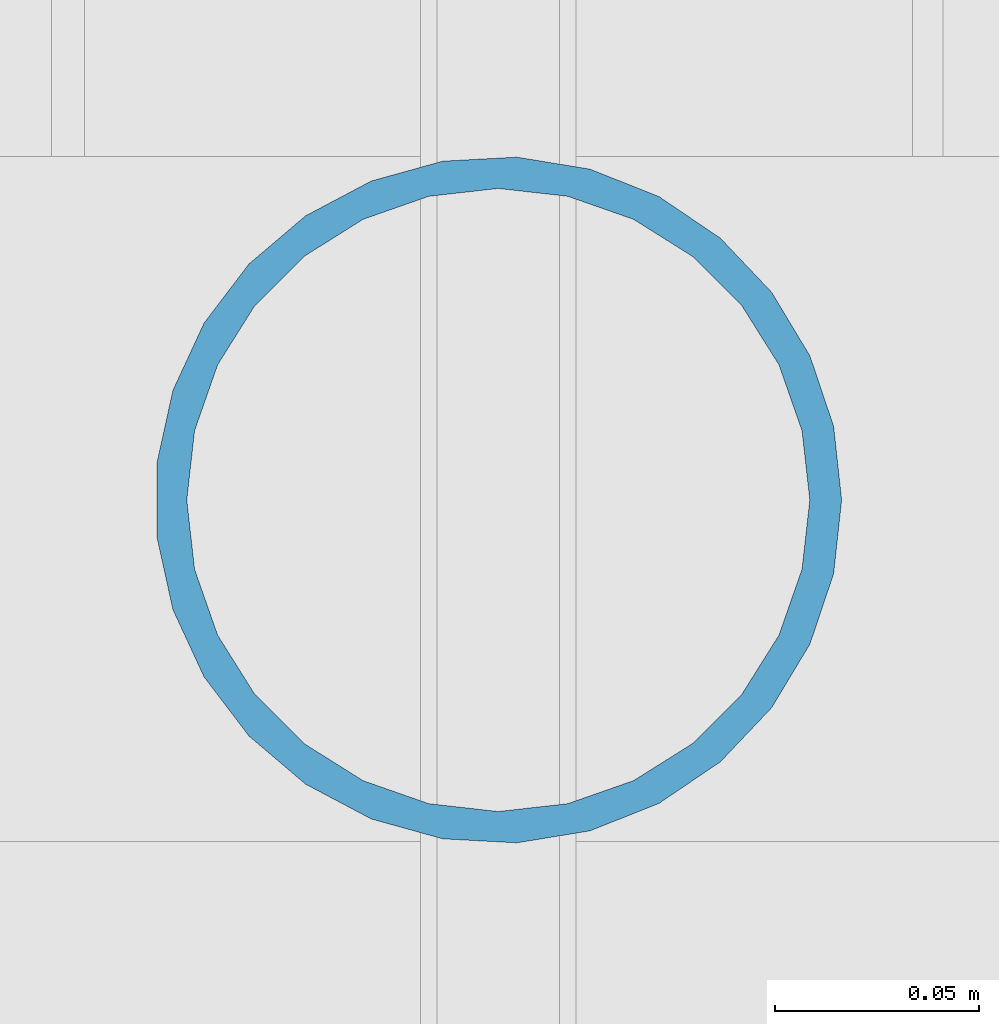
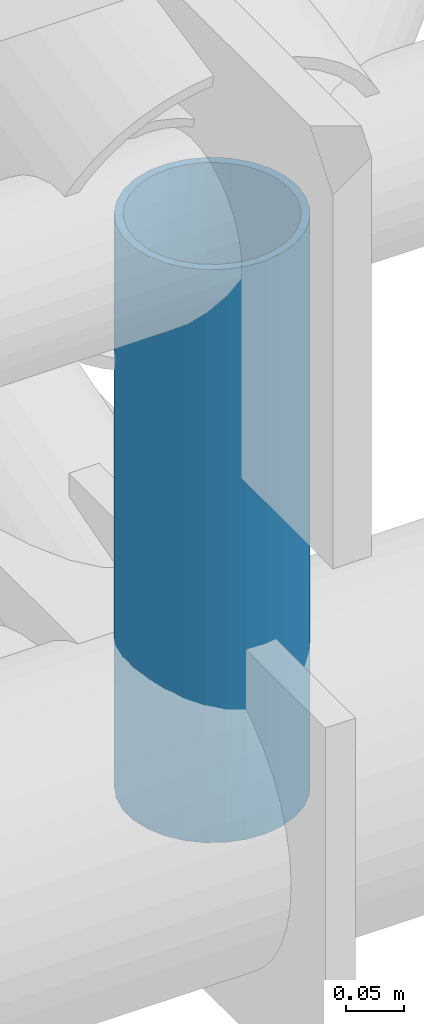
# One storey, part 48 of 72: 1 member.
"""IFC4 building model written with IfcOpenShell, lengths in metres."""

from ifc_helpers import new_model, si_unit, direction, frame, origin, origin_2d, place, context, subcontext, project, spatial, hollow_circle, extrude, material, material_profile, profile_set, type_object, element, save


model = new_model("IFC4")

# Units and contexts
model_context = context("Model", 3, precision=1e-05, world=origin(), true_north=direction((0.0, 1.0)))
body_context = subcontext(model_context, "Body", "Model", "MODEL_VIEW")
ifc_project = project(units=[si_unit("LENGTHUNIT", "METRE"), si_unit("AREAUNIT", "SQUARE_METRE"), si_unit("VOLUMEUNIT", "CUBIC_METRE"), si_unit("PLANEANGLEUNIT", "RADIAN"), si_unit("MASSUNIT", "GRAM", prefix="KILO")], contexts=[model_context])

# Site, building, storey
site_placement = place(None, origin())
site = spatial("IfcSite", under=ifc_project, at=site_placement, CompositionType="ELEMENT")
building_placement = place(site_placement, origin())
building = spatial("IfcBuilding", under=site, at=building_placement, Name="Vaelcorin Mobility Hub", CompositionType="ELEMENT")
storey_placement = place(building_placement, frame((0.0, 0.0, 25.800048828125)))
storey = spatial("IfcBuildingStorey", under=building, at=storey_placement, Name="RF", CompositionType="ELEMENT", Elevation=25.800048828125)

# Member
ifc_material = material(Name="Steel ASTM A500 Grade C", Category="steel")
ifc_material_profile = material_profile(ifc_material, hollow_circle(Radius=0.084228515625, WallThickness=0.0078125, at=origin_2d()), Name="HSS6.625X0.312")
ifc_profile_set = profile_set([ifc_material_profile], Name="Steel ASTM A500 Grade C")
member_type = type_object("IfcMemberType", Name="TR-POST-6", PredefinedType="POST", material=ifc_profile_set)
member_placement = place(storey_placement, frame((100.800048828125, 84.0, -2.10009765625), z_axis=(0.0, 0.0, 1.0), x_axis=(1.0, 0.0, 0.0)))
element("IfcMember", 1, at=member_placement, inside=storey, type_object=member_type, Name="Sports Pavilion Roof Truss Post 9-0", PredefinedType="POST", context=body_context, shape_type="SweptSolid", body=[
    extrude(hollow_circle(Radius=0.084228515625, WallThickness=0.0078125, at=origin_2d()), origin(), (0.0, 0.0, 1.0), 0.60009765625),
])

save(model, "model.ifc")
